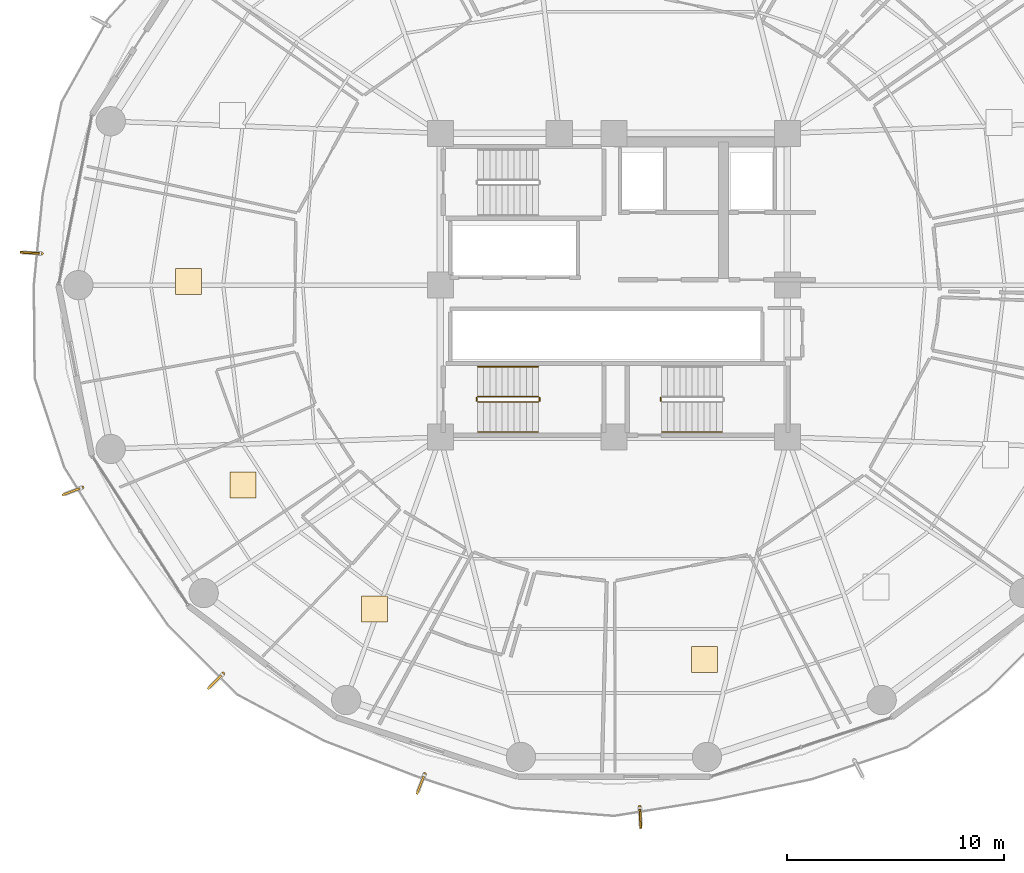
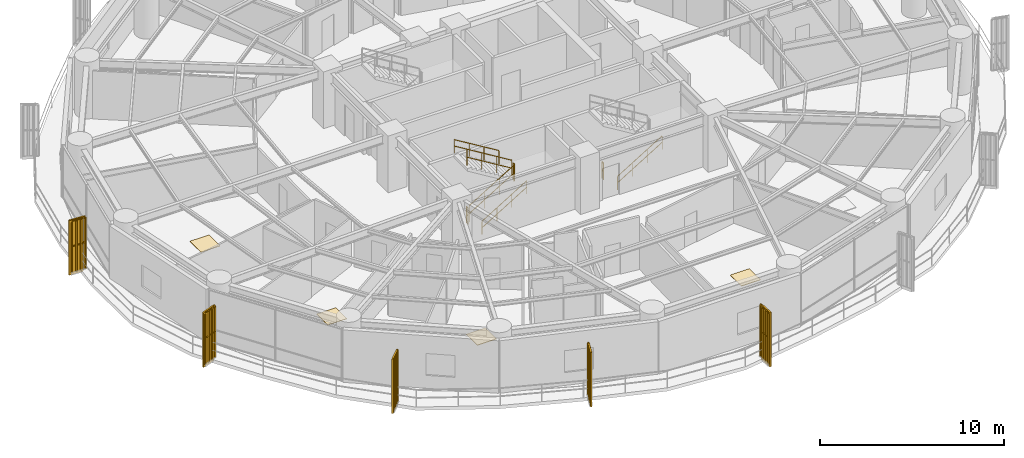
# One storey, part 33 of 35: 13 railings, 5 shading devices, 4 coverings.
"""IFC4 building model written with IfcOpenShell, lengths in metres."""

from ifc_helpers import new_model, si_unit, direction, frame, origin, origin_2d, place, context, subcontext, project, spatial, polyline, rectangle, outline, extrude, source, transform, mapped, material, layer, layer_set, type_object, element, save


model = new_model("IFC4")

# Units and contexts
model_context = context("Model", 3, precision=1e-05, world=origin(), true_north=direction((0.0, 1.0)))
body_context = subcontext(model_context, "Body", "Model", "MODEL_VIEW")
ifc_project = project(units=[si_unit("LENGTHUNIT", "METRE"), si_unit("AREAUNIT", "SQUARE_METRE"), si_unit("VOLUMEUNIT", "CUBIC_METRE"), si_unit("PLANEANGLEUNIT", "RADIAN"), si_unit("MASSUNIT", "GRAM", prefix="KILO")], contexts=[model_context])

# Site, building, storey
site_placement = place(None, origin())
site = spatial("IfcSite", under=ifc_project, at=site_placement, CompositionType="ELEMENT")
building_placement = place(site_placement, origin())
building = spatial("IfcBuilding", under=site, at=building_placement, Name="Kelanora Arch Commons", CompositionType="ELEMENT")
storey_placement = place(building_placement, frame((0.0, 0.0, 117.60009765625)))
storey = spatial("IfcBuildingStorey", under=building, at=storey_placement, Name="L30", CompositionType="ELEMENT", Elevation=117.60009765625)

# Railings
ifc_material_1 = material(Name="Anodised bronze vertical shading fin rib assembly")
railing_type_1 = type_object("IfcRailingType", Name="RAIL-FIN-BRZ", PredefinedType="BALUSTRADE", material=ifc_material_1)
railing_1_placement = place(storey_placement, frame((47.62744140625, 59.45751953125, -0.02001953125)))
element("IfcRailing", 1, at=railing_1_placement, inside=storey, type_object=railing_type_1, Name="Sweeping Bronze Vertical Fin Blade L30-06", PredefinedType="BALUSTRADE", context=body_context, shape_type="SweptSolid", body=[
    extrude(outline(polyline([(0.06982421875, 0.0), (0.034912109375, 0.060546875), (-0.034912109375, 0.060546875), (-0.06982421875, 0.0), (-0.034912109375, -0.060546875), (0.034912109375, -0.060546875), (0.06982421875, 0.0)])), frame((0.0, 0.0, 3.419921875), z_axis=(-0.998481799956, 0.055082621188, 0.0), x_axis=(-0.055082621188, -0.998481799956, 0.0)), (0.0, 0.0, 1.0), 0.837646484375),
    extrude(outline(polyline([(0.06982421875, 0.0), (0.034912109375, 0.060546875), (-0.034912109375, 0.060546875), (-0.06982421875, 0.0), (-0.034912109375, -0.060546875), (0.034912109375, -0.060546875), (0.06982421875, 0.0)])), frame((0.0, 0.0, 1.7451171875), z_axis=(-0.998481799956, 0.055082621188, 0.0), x_axis=(-0.055082621188, -0.998481799956, 0.0)), (0.0, 0.0, 1.0), 0.837646484375),
    extrude(outline(polyline([(0.080078125, 0.0), (0.0400390625, 0.0693359375), (-0.0400390625, 0.0693359375), (-0.080078125, 0.0), (-0.0400390625, -0.0693359375), (0.0400390625, -0.0693359375), (0.080078125, 0.0)])), origin(), (0.0, 0.0, 1.0), 3.35009765625),
    extrude(outline(polyline([(0.080078125, 0.0), (0.0400390625, 0.0693359375), (-0.0400390625, 0.0693359375), (-0.080078125, 0.0), (-0.0400390625, -0.0693359375), (0.0400390625, -0.0693359375), (0.080078125, 0.0)])), frame((-0.27880859375, 0.015380859375, 0.0)), (0.0, 0.0, 1.0), 3.35009765625),
    extrude(outline(polyline([(0.080078125, 0.0), (0.0400390625, 0.0693359375), (-0.0400390625, 0.0693359375), (-0.080078125, 0.0), (-0.0400390625, -0.0693359375), (0.0400390625, -0.0693359375), (0.080078125, 0.0)])), frame((-0.5576171875, 0.03076171875, 0.0)), (0.0, 0.0, 1.0), 3.35009765625),
    extrude(outline(polyline([(0.080078125, 0.0), (0.0400390625, 0.0693359375), (-0.0400390625, 0.0693359375), (-0.080078125, 0.0), (-0.0400390625, -0.0693359375), (0.0400390625, -0.0693359375), (0.080078125, 0.0)])), frame((-0.83642578125, 0.046142578125, 0.0)), (0.0, 0.0, 1.0), 3.35009765625),
])
railing_2_placement = place(storey_placement, frame((49.49951171875, 48.675048828125, -0.02001953125)))
element("IfcRailing", 2, at=railing_2_placement, inside=storey, type_object=railing_type_1, Name="Sweeping Bronze Vertical Fin Blade L30-07", PredefinedType="BALUSTRADE", context=body_context, shape_type="SweptSolid", body=[
    extrude(outline(polyline([(0.06982421875, 0.0), (0.034912109375, 0.060546875), (-0.034912109375, 0.060546875), (-0.06982421875, 0.0), (-0.034912109375, -0.060546875), (0.034912109375, -0.060546875), (0.06982421875, 0.0)])), frame((0.0, 0.0, 3.419921875), z_axis=(-0.93465384147, -0.355558991766, 0.0), x_axis=(0.355558991766, -0.93465384147, 0.0)), (0.0, 0.0, 1.0), 0.837646484375),
    extrude(outline(polyline([(0.06982421875, 0.0), (0.034912109375, 0.060546875), (-0.034912109375, 0.060546875), (-0.06982421875, 0.0), (-0.034912109375, -0.060546875), (0.034912109375, -0.060546875), (0.06982421875, 0.0)])), frame((0.0, 0.0, 1.7451171875), z_axis=(-0.93465384147, -0.355558991766, 0.0), x_axis=(0.355558991766, -0.93465384147, 0.0)), (0.0, 0.0, 1.0), 0.837646484375),
    extrude(outline(polyline([(0.080078125, 0.0), (0.0400390625, 0.0693359375), (-0.0400390625, 0.0693359375), (-0.080078125, 0.0), (-0.0400390625, -0.0693359375), (0.0400390625, -0.0693359375), (0.080078125, 0.0)])), origin(), (0.0, 0.0, 1.0), 3.35009765625),
    extrude(outline(polyline([(0.080078125, 0.0), (0.0400390625, 0.0693359375), (-0.0400390625, 0.0693359375), (-0.080078125, 0.0), (-0.0400390625, -0.0693359375), (0.0400390625, -0.0693359375), (0.080078125, 0.0)])), frame((-0.260986328125, -0.099365234375, 0.0)), (0.0, 0.0, 1.0), 3.35009765625),
    extrude(outline(polyline([(0.080078125, 0.0), (0.0400390625, 0.0693359375), (-0.0400390625, 0.0693359375), (-0.080078125, 0.0), (-0.0400390625, -0.0693359375), (0.0400390625, -0.0693359375), (0.080078125, 0.0)])), frame((-0.52197265625, -0.198486328125, 0.0)), (0.0, 0.0, 1.0), 3.35009765625),
    extrude(outline(polyline([(0.080078125, 0.0), (0.0400390625, 0.0693359375), (-0.0400390625, 0.0693359375), (-0.080078125, 0.0), (-0.0400390625, -0.0693359375), (0.0400390625, -0.0693359375), (0.080078125, 0.0)])), frame((-0.782958984375, -0.2978515625, 0.0)), (0.0, 0.0, 1.0), 3.35009765625),
])
railing_3_placement = place(storey_placement, frame((55.988525390625, 40.0908203125, -0.02001953125)))
element("IfcRailing", 3, at=railing_3_placement, inside=storey, type_object=railing_type_1, Name="Sweeping Bronze Vertical Fin Blade L30-08", PredefinedType="BALUSTRADE", context=body_context, shape_type="SweptSolid", body=[
    extrude(outline(polyline([(0.06982421875, 0.0), (0.034912109375, 0.060546875), (-0.034912109375, 0.060546875), (-0.06982421875, 0.0), (-0.034912109375, -0.060546875), (0.034912109375, -0.060546875), (0.06982421875, 0.0)])), frame((0.0, 0.0, 3.419921875), z_axis=(-0.708998403515, -0.705210084877, 0.0), x_axis=(0.705210084877, -0.708998403515, 0.0)), (0.0, 0.0, 1.0), 0.837890625),
    extrude(outline(polyline([(0.06982421875, 0.0), (0.034912109375, 0.060546875), (-0.034912109375, 0.060546875), (-0.06982421875, 0.0), (-0.034912109375, -0.060546875), (0.034912109375, -0.060546875), (0.06982421875, 0.0)])), frame((0.0, 0.0, 1.7451171875), z_axis=(-0.708998403515, -0.705210084877, 0.0), x_axis=(0.705210084877, -0.708998403515, 0.0)), (0.0, 0.0, 1.0), 0.837890625),
    extrude(outline(polyline([(0.080078125, 0.0), (0.0400390625, 0.0693359375), (-0.0400390625, 0.0693359375), (-0.080078125, 0.0), (-0.0400390625, -0.0693359375), (0.0400390625, -0.0693359375), (0.080078125, 0.0)])), origin(), (0.0, 0.0, 1.0), 3.35009765625),
    extrude(outline(polyline([(0.080078125, 0.0), (0.0400390625, 0.0693359375), (-0.0400390625, 0.0693359375), (-0.080078125, 0.0), (-0.0400390625, -0.0693359375), (0.0400390625, -0.0693359375), (0.080078125, 0.0)])), frame((-0.197998046875, -0.197021484375, 0.0)), (0.0, 0.0, 1.0), 3.35009765625),
    extrude(outline(polyline([(0.080078125, 0.0), (0.0400390625, 0.0693359375), (-0.0400390625, 0.0693359375), (-0.080078125, 0.0), (-0.0400390625, -0.0693359375), (0.0400390625, -0.0693359375), (0.080078125, 0.0)])), frame((-0.39599609375, -0.393798828125, 0.0)), (0.0, 0.0, 1.0), 3.35009765625),
    extrude(outline(polyline([(0.080078125, 0.0), (0.0400390625, 0.0693359375), (-0.0400390625, 0.0693359375), (-0.080078125, 0.0), (-0.0400390625, -0.0693359375), (0.0400390625, -0.0693359375), (0.080078125, 0.0)])), frame((-0.593994140625, -0.5908203125, 0.0)), (0.0, 0.0, 1.0), 3.35009765625),
])
railing_4_placement = place(storey_placement, frame((65.2783203125, 35.470703125, -0.02001953125)))
element("IfcRailing", 4, at=railing_4_placement, inside=storey, type_object=railing_type_1, Name="Sweeping Bronze Vertical Fin Blade L30-09", PredefinedType="BALUSTRADE", context=body_context, shape_type="SweptSolid", body=[
    extrude(outline(polyline([(0.06982421875, 0.0), (0.034912109375, 0.060546875), (-0.034912109375, 0.060546875), (-0.06982421875, 0.0), (-0.034912109375, -0.060546875), (0.034912109375, -0.060546875), (0.06982421875, 0.0)])), frame((0.0, 0.0, 3.419921875), z_axis=(-0.361165829556, -0.932501605125, 0.0), x_axis=(0.932501605125, -0.361165829556, 0.0)), (0.0, 0.0, 1.0), 0.837646484375),
    extrude(outline(polyline([(0.06982421875, 0.0), (0.034912109375, 0.060546875), (-0.034912109375, 0.060546875), (-0.06982421875, 0.0), (-0.034912109375, -0.060546875), (0.034912109375, -0.060546875), (0.06982421875, 0.0)])), frame((0.0, 0.0, 1.7451171875), z_axis=(-0.361165829556, -0.932501605125, 0.0), x_axis=(0.932501605125, -0.361165829556, 0.0)), (0.0, 0.0, 1.0), 0.837646484375),
    extrude(outline(polyline([(0.080078125, 0.0), (0.0400390625, 0.0693359375), (-0.0400390625, 0.0693359375), (-0.080078125, 0.0), (-0.0400390625, -0.0693359375), (0.0400390625, -0.0693359375), (0.080078125, 0.0)])), origin(), (0.0, 0.0, 1.0), 3.35009765625),
    extrude(outline(polyline([(0.080078125, 0.0), (0.0400390625, 0.0693359375), (-0.0400390625, 0.0693359375), (-0.080078125, 0.0), (-0.0400390625, -0.0693359375), (0.0400390625, -0.0693359375), (0.080078125, 0.0)])), frame((-0.100830078125, -0.26025390625, 0.0)), (0.0, 0.0, 1.0), 3.35009765625),
    extrude(outline(polyline([(0.080078125, 0.0), (0.0400390625, 0.0693359375), (-0.0400390625, 0.0693359375), (-0.080078125, 0.0), (-0.0400390625, -0.0693359375), (0.0400390625, -0.0693359375), (0.080078125, 0.0)])), frame((-0.20166015625, -0.520751953125, 0.0)), (0.0, 0.0, 1.0), 3.35009765625),
    extrude(outline(polyline([(0.080078125, 0.0), (0.0400390625, 0.0693359375), (-0.0400390625, 0.0693359375), (-0.080078125, 0.0), (-0.0400390625, -0.0693359375), (0.0400390625, -0.0693359375), (0.080078125, 0.0)])), frame((-0.302490234375, -0.781005859375, 0.0)), (0.0, 0.0, 1.0), 3.35009765625),
])
railing_5_placement = place(storey_placement, frame((75.19140625, 33.955810546875, -0.02001953125)))
element("IfcRailing", 5, at=railing_5_placement, inside=storey, type_object=railing_type_1, Name="Sweeping Bronze Vertical Fin Blade L30-10", PredefinedType="BALUSTRADE", context=body_context, shape_type="SweptSolid", body=[
    extrude(outline(polyline([(0.06982421875, 0.0), (0.034912109375, 0.060546875), (-0.034912109375, 0.060546875), (-0.06982421875, 0.0), (-0.034912109375, -0.060546875), (0.034912109375, -0.060546875), (0.06982421875, 0.0)])), frame((0.0, 0.0, 3.419921875), z_axis=(0.049545147493, -0.998771885047, 0.0), x_axis=(0.998771885047, 0.049545147493, 0.0)), (0.0, 0.0, 1.0), 0.837646484375),
    extrude(outline(polyline([(0.06982421875, 0.0), (0.034912109375, 0.060546875), (-0.034912109375, 0.060546875), (-0.06982421875, 0.0), (-0.034912109375, -0.060546875), (0.034912109375, -0.060546875), (0.06982421875, 0.0)])), frame((0.0, 0.0, 1.7451171875), z_axis=(0.049545147493, -0.998771885047, 0.0), x_axis=(0.998771885047, 0.049545147493, 0.0)), (0.0, 0.0, 1.0), 0.837646484375),
    extrude(outline(polyline([(0.080078125, 0.0), (0.0400390625, 0.0693359375), (-0.0400390625, 0.0693359375), (-0.080078125, 0.0), (-0.0400390625, -0.0693359375), (0.0400390625, -0.0693359375), (0.080078125, 0.0)])), origin(), (0.0, 0.0, 1.0), 3.35009765625),
    extrude(outline(polyline([(0.080078125, 0.0), (0.0400390625, 0.0693359375), (-0.0400390625, 0.0693359375), (-0.080078125, 0.0), (-0.0400390625, -0.0693359375), (0.0400390625, -0.0693359375), (0.080078125, 0.0)])), frame((0.013916015625, -0.27880859375, 0.0)), (0.0, 0.0, 1.0), 3.35009765625),
    extrude(outline(polyline([(0.080078125, 0.0), (0.0400390625, 0.0693359375), (-0.0400390625, 0.0693359375), (-0.080078125, 0.0), (-0.0400390625, -0.0693359375), (0.0400390625, -0.0693359375), (0.080078125, 0.0)])), frame((0.027587890625, -0.557861328125, 0.0)), (0.0, 0.0, 1.0), 3.35009765625),
    extrude(outline(polyline([(0.080078125, 0.0), (0.0400390625, 0.0693359375), (-0.0400390625, 0.0693359375), (-0.080078125, 0.0), (-0.0400390625, -0.0693359375), (0.0400390625, -0.0693359375), (0.080078125, 0.0)])), frame((0.04150390625, -0.836669921875, 0.0)), (0.0, 0.0, 1.0), 3.35009765625),
])
ifc_material_2 = material(Name="Painted steel stair well guard", Category="steel")
railing_type_2 = type_object("IfcRailingType", Name="RAIL-STAIR-GRD", PredefinedType="GUARDRAIL", material=ifc_material_2)
railing_6_placement = place(storey_placement, frame((76.14990234375, 52.659912109375, 0.0)))
element("IfcRailing", 6, at=railing_6_placement, inside=storey, type_object=railing_type_2, Name="L30 ST-T2 stair guard 4", PredefinedType="GUARDRAIL", context=body_context, shape_type="SweptSolid", body=[
    extrude(outline(polyline([(0.02392578125, 0.0), (0.011962890625, 0.020751953125), (-0.011962890625, 0.020751953125), (-0.02392578125, 0.0), (-0.011962890625, -0.020751953125), (0.011962890625, -0.020751953125), (0.02392578125, 0.0)])), frame((0.0, 0.0, 1.076171875), z_axis=(0.0, 1.0, 0.0), x_axis=(-1.0, 0.0, 0.0)), (0.0, 0.0, 1.0), 0.150146484375),
    extrude(outline(polyline([(0.02392578125, 0.0), (0.011962890625, 0.020751953125), (-0.011962890625, 0.020751953125), (-0.02392578125, 0.0), (-0.011962890625, -0.020751953125), (0.011962890625, -0.020751953125), (0.02392578125, 0.0)])), frame((0.0, 0.0, 0.550048828125), z_axis=(0.0, 1.0, 0.0), x_axis=(-1.0, 0.0, 0.0)), (0.0, 0.0, 1.0), 0.150146484375),
    extrude(outline(polyline([(0.02099609375, 0.0), (0.010498046875, 0.01806640625), (-0.010498046875, 0.01806640625), (-0.02099609375, 0.0), (-0.010498046875, -0.01806640625), (0.010498046875, -0.01806640625), (0.02099609375, 0.0)])), origin(), (0.0, 0.0, 1.0), 1.052001953125),
    extrude(outline(polyline([(0.02099609375, 0.0), (0.010498046875, 0.01806640625), (-0.010498046875, 0.01806640625), (-0.02099609375, 0.0), (-0.010498046875, -0.01806640625), (0.010498046875, -0.01806640625), (0.02099609375, 0.0)])), frame((0.0, 0.150146484375, 0.0)), (0.0, 0.0, 1.0), 1.052001953125),
])
railing_7_placement = place(storey_placement, frame((67.719970703125, 52.610107421875, 0.17041015625)))
element("IfcRailing", 7, at=railing_7_placement, inside=storey, type_object=railing_type_2, Name="L30 ST-T3 stair guard 1", PredefinedType="GUARDRAIL", context=body_context, shape_type="SweptSolid", body=[
    extrude(outline(polyline([(0.02392578125, 0.0), (0.011962890625, 0.020751953125), (-0.011962890625, 0.020751953125), (-0.02392578125, 0.0), (-0.011962890625, -0.020751953125), (0.011962890625, -0.020751953125), (0.02392578125, 0.0)])), frame((0.0, 0.0, 1.076171875), z_axis=(0.854169791009, 0.0, 0.51999420009), x_axis=(0.0, 1.0, 0.0)), (0.0, 0.0, 1.0), 3.278076171875),
    extrude(outline(polyline([(0.02392578125, 0.0), (0.011962890625, 0.020751953125), (-0.011962890625, 0.020751953125), (-0.02392578125, 0.0), (-0.011962890625, -0.020751953125), (0.011962890625, -0.020751953125), (0.02392578125, 0.0)])), frame((0.0, 0.0, 0.550048828125), z_axis=(0.854169791009, 0.0, 0.51999420009), x_axis=(0.0, 1.0, 0.0)), (0.0, 0.0, 1.0), 3.278076171875),
    extrude(outline(polyline([(0.02099609375, 0.0), (0.010498046875, 0.01806640625), (-0.010498046875, 0.01806640625), (-0.02099609375, 0.0), (-0.010498046875, -0.01806640625), (0.010498046875, -0.01806640625), (0.02099609375, 0.0)])), origin(), (0.0, 0.0, 1.0), 1.052001953125),
    extrude(outline(polyline([(0.02099609375, 0.0), (0.010498046875, 0.01806640625), (-0.010498046875, 0.01806640625), (-0.02099609375, 0.0), (-0.010498046875, -0.01806640625), (0.010498046875, -0.01806640625), (0.02099609375, 0.0)])), frame((0.933349609375, 0.0, 0.568115234375)), (0.0, 0.0, 1.0), 1.052001953125),
    extrude(outline(polyline([(0.02099609375, 0.0), (0.010498046875, 0.01806640625), (-0.010498046875, 0.01806640625), (-0.02099609375, 0.0), (-0.010498046875, -0.01806640625), (0.010498046875, -0.01806640625), (0.02099609375, 0.0)])), frame((1.86669921875, 0.0, 1.136474609375)), (0.0, 0.0, 1.0), 1.052001953125),
    extrude(outline(polyline([(0.02099609375, 0.0), (0.010498046875, 0.01806640625), (-0.010498046875, 0.01806640625), (-0.02099609375, 0.0), (-0.010498046875, -0.01806640625), (0.010498046875, -0.01806640625), (0.02099609375, 0.0)])), frame((2.800048828125, 0.0, 1.70458984375)), (0.0, 0.0, 1.0), 1.052001953125),
])
railing_8_placement = place(storey_placement, frame((70.570068359375, 52.659912109375, 1.875)))
element("IfcRailing", 8, at=railing_8_placement, inside=storey, type_object=railing_type_2, Name="L30 ST-T3 stair guard 2", PredefinedType="GUARDRAIL", context=body_context, shape_type="SweptSolid", body=[
    extrude(outline(polyline([(0.02392578125, 0.0), (0.011962890625, 0.020751953125), (-0.011962890625, 0.020751953125), (-0.02392578125, 0.0), (-0.011962890625, -0.020751953125), (0.011962890625, -0.020751953125), (0.02392578125, 0.0)])), frame((0.0, 0.0, 1.076171875), z_axis=(0.0, 1.0, 0.0), x_axis=(-1.0, 0.0, 0.0)), (0.0, 0.0, 1.0), 0.150146484375),
    extrude(outline(polyline([(0.02392578125, 0.0), (0.011962890625, 0.020751953125), (-0.011962890625, 0.020751953125), (-0.02392578125, 0.0), (-0.011962890625, -0.020751953125), (0.011962890625, -0.020751953125), (0.02392578125, 0.0)])), frame((0.0, 0.0, 0.550048828125), z_axis=(0.0, 1.0, 0.0), x_axis=(-1.0, 0.0, 0.0)), (0.0, 0.0, 1.0), 0.150146484375),
    extrude(outline(polyline([(0.02099609375, 0.0), (0.010498046875, 0.01806640625), (-0.010498046875, 0.01806640625), (-0.02099609375, 0.0), (-0.010498046875, -0.01806640625), (0.010498046875, -0.01806640625), (0.02099609375, 0.0)])), origin(), (0.0, 0.0, 1.0), 1.052001953125),
    extrude(outline(polyline([(0.02099609375, 0.0), (0.010498046875, 0.01806640625), (-0.010498046875, 0.01806640625), (-0.02099609375, 0.0), (-0.010498046875, -0.01806640625), (0.010498046875, -0.01806640625), (0.02099609375, 0.0)])), frame((0.0, 0.150146484375, 0.0)), (0.0, 0.0, 1.0), 1.052001953125),
])
railing_9_placement = place(storey_placement, frame((70.52001953125, 52.860107421875, 2.04541015625)))
element("IfcRailing", 9, at=railing_9_placement, inside=storey, type_object=railing_type_2, Name="L30 ST-T3 stair guard 3", PredefinedType="GUARDRAIL", context=body_context, shape_type="SweptSolid", body=[
    extrude(outline(polyline([(0.02392578125, 0.0), (0.011962890625, 0.020751953125), (-0.011962890625, 0.020751953125), (-0.02392578125, 0.0), (-0.011962890625, -0.020751953125), (0.011962890625, -0.020751953125), (0.02392578125, 0.0)])), frame((0.0, 0.0, 1.076171875), z_axis=(-0.854169791009, 0.0, 0.51999420009), x_axis=(0.0, -1.0, 0.0)), (0.0, 0.0, 1.0), 3.278076171875),
    extrude(outline(polyline([(0.02392578125, 0.0), (0.011962890625, 0.020751953125), (-0.011962890625, 0.020751953125), (-0.02392578125, 0.0), (-0.011962890625, -0.020751953125), (0.011962890625, -0.020751953125), (0.02392578125, 0.0)])), frame((0.0, 0.0, 0.550048828125), z_axis=(-0.854169791009, 0.0, 0.51999420009), x_axis=(0.0, -1.0, 0.0)), (0.0, 0.0, 1.0), 3.278076171875),
    extrude(outline(polyline([(0.02099609375, 0.0), (0.010498046875, 0.01806640625), (-0.010498046875, 0.01806640625), (-0.02099609375, 0.0), (-0.010498046875, -0.01806640625), (0.010498046875, -0.01806640625), (0.02099609375, 0.0)])), origin(), (0.0, 0.0, 1.0), 1.052001953125),
    extrude(outline(polyline([(0.02099609375, 0.0), (0.010498046875, 0.01806640625), (-0.010498046875, 0.01806640625), (-0.02099609375, 0.0), (-0.010498046875, -0.01806640625), (0.010498046875, -0.01806640625), (0.02099609375, 0.0)])), frame((-0.933349609375, 0.0, 0.568115234375)), (0.0, 0.0, 1.0), 1.052001953125),
    extrude(outline(polyline([(0.02099609375, 0.0), (0.010498046875, 0.01806640625), (-0.010498046875, 0.01806640625), (-0.02099609375, 0.0), (-0.010498046875, -0.01806640625), (0.010498046875, -0.01806640625), (0.02099609375, 0.0)])), frame((-1.86669921875, 0.0, 1.136474609375)), (0.0, 0.0, 1.0), 1.052001953125),
    extrude(outline(polyline([(0.02099609375, 0.0), (0.010498046875, 0.01806640625), (-0.010498046875, 0.01806640625), (-0.02099609375, 0.0), (-0.010498046875, -0.01806640625), (0.010498046875, -0.01806640625), (0.02099609375, 0.0)])), frame((-2.800048828125, 0.0, 1.70458984375)), (0.0, 0.0, 1.0), 1.052001953125),
])
railing_10_placement = place(storey_placement, frame((67.669921875, 52.659912109375, 0.0)))
element("IfcRailing", 10, at=railing_10_placement, inside=storey, type_object=railing_type_2, Name="L30 ST-T3 stair guard 4", PredefinedType="GUARDRAIL", context=body_context, shape_type="SweptSolid", body=[
    extrude(outline(polyline([(0.02392578125, 0.0), (0.011962890625, 0.020751953125), (-0.011962890625, 0.020751953125), (-0.02392578125, 0.0), (-0.011962890625, -0.020751953125), (0.011962890625, -0.020751953125), (0.02392578125, 0.0)])), frame((0.0, 0.0, 1.076171875), z_axis=(0.0, 1.0, 0.0), x_axis=(-1.0, 0.0, 0.0)), (0.0, 0.0, 1.0), 0.150146484375),
    extrude(outline(polyline([(0.02392578125, 0.0), (0.011962890625, 0.020751953125), (-0.011962890625, 0.020751953125), (-0.02392578125, 0.0), (-0.011962890625, -0.020751953125), (0.011962890625, -0.020751953125), (0.02392578125, 0.0)])), frame((0.0, 0.0, 0.550048828125), z_axis=(0.0, 1.0, 0.0), x_axis=(-1.0, 0.0, 0.0)), (0.0, 0.0, 1.0), 0.150146484375),
    extrude(outline(polyline([(0.02099609375, 0.0), (0.010498046875, 0.01806640625), (-0.010498046875, 0.01806640625), (-0.02099609375, 0.0), (-0.010498046875, -0.01806640625), (0.010498046875, -0.01806640625), (0.02099609375, 0.0)])), origin(), (0.0, 0.0, 1.0), 1.052001953125),
    extrude(outline(polyline([(0.02099609375, 0.0), (0.010498046875, 0.01806640625), (-0.010498046875, 0.01806640625), (-0.02099609375, 0.0), (-0.010498046875, -0.01806640625), (0.010498046875, -0.01806640625), (0.02099609375, 0.0)])), frame((0.0, 0.150146484375, 0.0)), (0.0, 0.0, 1.0), 1.052001953125),
])
ifc_material_3 = material(Name="Brushed stainless steel stair handrail", Category="steel")
railing_type_3 = type_object("IfcRailingType", Name="RAIL-STAIR-HND", PredefinedType="HANDRAIL", material=ifc_material_3)
railing_11_placement = place(storey_placement, frame((76.199951171875, 51.22998046875, 0.17041015625)))
element("IfcRailing", 11, at=railing_11_placement, inside=storey, type_object=railing_type_3, Name="L30 ST-T2 stair handrail 1", PredefinedType="HANDRAIL", context=body_context, shape_type="SweptSolid", body=[
    extrude(outline(polyline([(0.02392578125, 0.0), (0.011962890625, 0.020751953125), (-0.011962890625, 0.020751953125), (-0.02392578125, 0.0), (-0.011962890625, -0.020751953125), (0.011962890625, -0.020751953125), (0.02392578125, 0.0)])), frame((0.0, 0.0, 0.8759765625), z_axis=(0.854169791009, 0.0, 0.51999420009), x_axis=(0.0, 1.0, 0.0)), (0.0, 0.0, 1.0), 3.278076171875),
    extrude(outline(polyline([(0.02392578125, 0.0), (0.011962890625, 0.020751953125), (-0.011962890625, 0.020751953125), (-0.02392578125, 0.0), (-0.011962890625, -0.020751953125), (0.011962890625, -0.020751953125), (0.02392578125, 0.0)])), frame((0.0, 0.0, 0.449951171875), z_axis=(0.854169791009, 0.0, 0.51999420009), x_axis=(0.0, 1.0, 0.0)), (0.0, 0.0, 1.0), 3.278076171875),
    extrude(outline(polyline([(0.02099609375, 0.0), (0.010498046875, 0.01806640625), (-0.010498046875, 0.01806640625), (-0.02099609375, 0.0), (-0.010498046875, -0.01806640625), (0.010498046875, -0.01806640625), (0.02099609375, 0.0)])), origin(), (0.0, 0.0, 1.0), 0.851806640625),
    extrude(outline(polyline([(0.02099609375, 0.0), (0.010498046875, 0.01806640625), (-0.010498046875, 0.01806640625), (-0.02099609375, 0.0), (-0.010498046875, -0.01806640625), (0.010498046875, -0.01806640625), (0.02099609375, 0.0)])), frame((0.933349609375, 0.0, 0.568115234375)), (0.0, 0.0, 1.0), 0.851806640625),
    extrude(outline(polyline([(0.02099609375, 0.0), (0.010498046875, 0.01806640625), (-0.010498046875, 0.01806640625), (-0.02099609375, 0.0), (-0.010498046875, -0.01806640625), (0.010498046875, -0.01806640625), (0.02099609375, 0.0)])), frame((1.86669921875, 0.0, 1.136474609375)), (0.0, 0.0, 1.0), 0.851806640625),
    extrude(outline(polyline([(0.02099609375, 0.0), (0.010498046875, 0.01806640625), (-0.010498046875, 0.01806640625), (-0.02099609375, 0.0), (-0.010498046875, -0.01806640625), (0.010498046875, -0.01806640625), (0.02099609375, 0.0)])), frame((2.800048828125, 0.0, 1.70458984375)), (0.0, 0.0, 1.0), 0.851806640625),
])
railing_12_placement = place(storey_placement, frame((67.719970703125, 51.22998046875, 0.17041015625)))
element("IfcRailing", 12, at=railing_12_placement, inside=storey, type_object=railing_type_3, Name="L30 ST-T3 stair handrail 1", PredefinedType="HANDRAIL", context=body_context, shape_type="SweptSolid", body=[
    extrude(outline(polyline([(0.02392578125, 0.0), (0.011962890625, 0.020751953125), (-0.011962890625, 0.020751953125), (-0.02392578125, 0.0), (-0.011962890625, -0.020751953125), (0.011962890625, -0.020751953125), (0.02392578125, 0.0)])), frame((0.0, 0.0, 0.8759765625), z_axis=(0.854169791009, 0.0, 0.51999420009), x_axis=(0.0, 1.0, 0.0)), (0.0, 0.0, 1.0), 3.278076171875),
    extrude(outline(polyline([(0.02392578125, 0.0), (0.011962890625, 0.020751953125), (-0.011962890625, 0.020751953125), (-0.02392578125, 0.0), (-0.011962890625, -0.020751953125), (0.011962890625, -0.020751953125), (0.02392578125, 0.0)])), frame((0.0, 0.0, 0.449951171875), z_axis=(0.854169791009, 0.0, 0.51999420009), x_axis=(0.0, 1.0, 0.0)), (0.0, 0.0, 1.0), 3.278076171875),
    extrude(outline(polyline([(0.02099609375, 0.0), (0.010498046875, 0.01806640625), (-0.010498046875, 0.01806640625), (-0.02099609375, 0.0), (-0.010498046875, -0.01806640625), (0.010498046875, -0.01806640625), (0.02099609375, 0.0)])), origin(), (0.0, 0.0, 1.0), 0.851806640625),
    extrude(outline(polyline([(0.02099609375, 0.0), (0.010498046875, 0.01806640625), (-0.010498046875, 0.01806640625), (-0.02099609375, 0.0), (-0.010498046875, -0.01806640625), (0.010498046875, -0.01806640625), (0.02099609375, 0.0)])), frame((0.933349609375, 0.0, 0.568115234375)), (0.0, 0.0, 1.0), 0.851806640625),
    extrude(outline(polyline([(0.02099609375, 0.0), (0.010498046875, 0.01806640625), (-0.010498046875, 0.01806640625), (-0.02099609375, 0.0), (-0.010498046875, -0.01806640625), (0.010498046875, -0.01806640625), (0.02099609375, 0.0)])), frame((1.86669921875, 0.0, 1.136474609375)), (0.0, 0.0, 1.0), 0.851806640625),
    extrude(outline(polyline([(0.02099609375, 0.0), (0.010498046875, 0.01806640625), (-0.010498046875, 0.01806640625), (-0.02099609375, 0.0), (-0.010498046875, -0.01806640625), (0.010498046875, -0.01806640625), (0.02099609375, 0.0)])), frame((2.800048828125, 0.0, 1.70458984375)), (0.0, 0.0, 1.0), 0.851806640625),
])
railing_13_placement = place(storey_placement, frame((70.52001953125, 54.239990234375, 2.04541015625)))
element("IfcRailing", 13, at=railing_13_placement, inside=storey, type_object=railing_type_3, Name="L30 ST-T3 stair handrail 2", PredefinedType="HANDRAIL", context=body_context, shape_type="SweptSolid", body=[
    extrude(outline(polyline([(0.02392578125, 0.0), (0.011962890625, 0.020751953125), (-0.011962890625, 0.020751953125), (-0.02392578125, 0.0), (-0.011962890625, -0.020751953125), (0.011962890625, -0.020751953125), (0.02392578125, 0.0)])), frame((0.0, 0.0, 0.8759765625), z_axis=(-0.854169791009, 0.0, 0.51999420009), x_axis=(0.0, -1.0, 0.0)), (0.0, 0.0, 1.0), 3.278076171875),
    extrude(outline(polyline([(0.02392578125, 0.0), (0.011962890625, 0.020751953125), (-0.011962890625, 0.020751953125), (-0.02392578125, 0.0), (-0.011962890625, -0.020751953125), (0.011962890625, -0.020751953125), (0.02392578125, 0.0)])), frame((0.0, 0.0, 0.449951171875), z_axis=(-0.854169791009, 0.0, 0.51999420009), x_axis=(0.0, -1.0, 0.0)), (0.0, 0.0, 1.0), 3.278076171875),
    extrude(outline(polyline([(0.02099609375, 0.0), (0.010498046875, 0.01806640625), (-0.010498046875, 0.01806640625), (-0.02099609375, 0.0), (-0.010498046875, -0.01806640625), (0.010498046875, -0.01806640625), (0.02099609375, 0.0)])), origin(), (0.0, 0.0, 1.0), 0.851806640625),
    extrude(outline(polyline([(0.02099609375, 0.0), (0.010498046875, 0.01806640625), (-0.010498046875, 0.01806640625), (-0.02099609375, 0.0), (-0.010498046875, -0.01806640625), (0.010498046875, -0.01806640625), (0.02099609375, 0.0)])), frame((-0.933349609375, 0.0, 0.568115234375)), (0.0, 0.0, 1.0), 0.851806640625),
    extrude(outline(polyline([(0.02099609375, 0.0), (0.010498046875, 0.01806640625), (-0.010498046875, 0.01806640625), (-0.02099609375, 0.0), (-0.010498046875, -0.01806640625), (0.010498046875, -0.01806640625), (0.02099609375, 0.0)])), frame((-1.86669921875, 0.0, 1.136474609375)), (0.0, 0.0, 1.0), 0.851806640625),
    extrude(outline(polyline([(0.02099609375, 0.0), (0.010498046875, 0.01806640625), (-0.010498046875, 0.01806640625), (-0.02099609375, 0.0), (-0.010498046875, -0.01806640625), (0.010498046875, -0.01806640625), (0.02099609375, 0.0)])), frame((-2.800048828125, 0.0, 1.70458984375)), (0.0, 0.0, 1.0), 0.851806640625),
])

# Shading devices
ifc_material_4 = material(Name="Terracotta ceramic-clad extruded aluminium fin", Category="masonry")
shading_device_type = type_object("IfcShadingDeviceType", Name="SHD-FIN-FLARE", PredefinedType="USERDEFINED", material=ifc_material_4)
shared_shape_1 = source(origin(), body_context, "Body", "SweptSolid", [
    extrude(rectangle(XDim=0.8798828125, YDim=0.090087890625, at=origin_2d()), origin(), (0.0, 0.0, 1.0), 3.610107421875),
])
for number, where, z_axis, x_axis, name in (
    (14, (47.069580078125, 59.48828125, -0.14013671875), (0.0, 0.0, 1.0), (-0.998479491627, 0.055124448298, 0.0), "Sweeping Terracotta Fin L30-06"),
    (15, (48.977294921875, 48.476318359375, -0.14013671875), (0.0, 0.0, 1.0), (-0.934577537177, -0.355759507257, 0.0), "Sweeping Terracotta Fin L30-07"),
    (16, (55.59228515625, 39.69677734375, -0.14013671875), (0.0, 0.0, 1.0), (-0.709078636179, -0.705129412033, 0.0), "Sweeping Terracotta Fin L30-08"),
    (17, (65.076416015625, 34.94970703125, -0.14013671875), (0.0, 0.0, 1.0), (-0.360973597208, -0.93257603557, 0.0), "Sweeping Terracotta Fin L30-09"),
    (18, (75.21923828125, 33.397705078125, -0.14013671875), (0.0, 0.0, 1.0), (0.049547056062, -0.998771790368, 0.0), "Sweeping Terracotta Fin L30-10"),
):
    element("IfcShadingDevice", number, at=place(storey_placement, frame(where, z_axis=z_axis, x_axis=x_axis)), inside=storey, type_object=shading_device_type, Name=name, ObjectType="FIN", PredefinedType="USERDEFINED", context=body_context, shape_type="MappedRepresentation", body=[
        mapped(shared_shape_1, transform((0.0, 0.0, 0.0), scale=1.0)),
    ])

# Coverings
ifc_material_5 = material(Name="Polished local granite terrazzo flooring", Category="masonry")
ifc_layer = layer(ifc_material_5, 0.030029296875)
ifc_layer_set = layer_set([ifc_layer], Name="Polished local granite terrazzo flooring")
covering_type = type_object("IfcCoveringType", Name="COV-FLR-TER", PredefinedType="FLOORING", material=ifc_layer_set)
shared_shape_2 = source(origin(), body_context, "Body", "SweptSolid", [
    extrude(rectangle(XDim=1.199951171875, YDim=1.199951171875, at=origin_2d()), origin(), (0.0, 0.0, 1.0), 0.030029296875),
])
for number, where, z_axis, x_axis, name in (
    (19, (54.3955078125, 58.176025390625, 0.0), (0.0, 0.0, 1.0), (1.0, 0.0, 0.0), "Communal Dining and Social Hall L30-06 Terrazzo Finish"),
    (20, (56.900146484375, 48.782470703125, 0.0), (0.0, 0.0, 1.0), (1.0, 0.0, 0.0), "Quiet Reading Carrel L30-07 Terrazzo Finish"),
    (21, (62.9638671875, 43.07080078125, 0.0), (0.0, 0.0, 1.0), (1.0, 0.0, 0.0), "Tutorial Study Alcove L30-08 Terrazzo Finish"),
    (22, (78.171875, 40.754150390625, 0.0), (0.0, 0.0, 1.0), (1.0, 0.0, 0.0), "Social Sky Lounge L30-10 Terrazzo Finish"),
):
    element("IfcCovering", number, at=place(storey_placement, frame(where, z_axis=z_axis, x_axis=x_axis)), inside=storey, type_object=covering_type, Name=name, PredefinedType="FLOORING", context=body_context, shape_type="MappedRepresentation", body=[
        mapped(shared_shape_2, transform((0.0, 0.0, 0.0), scale=1.0)),
    ])

save(model, "model.ifc")
